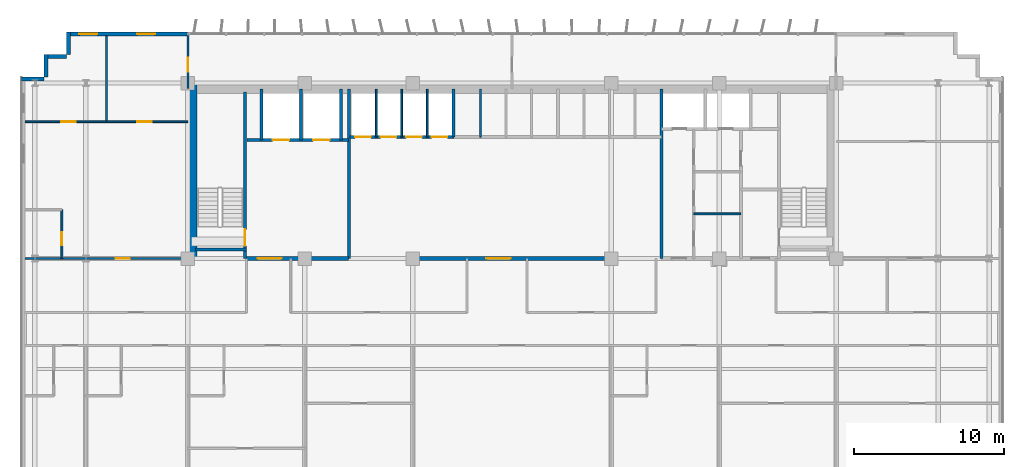
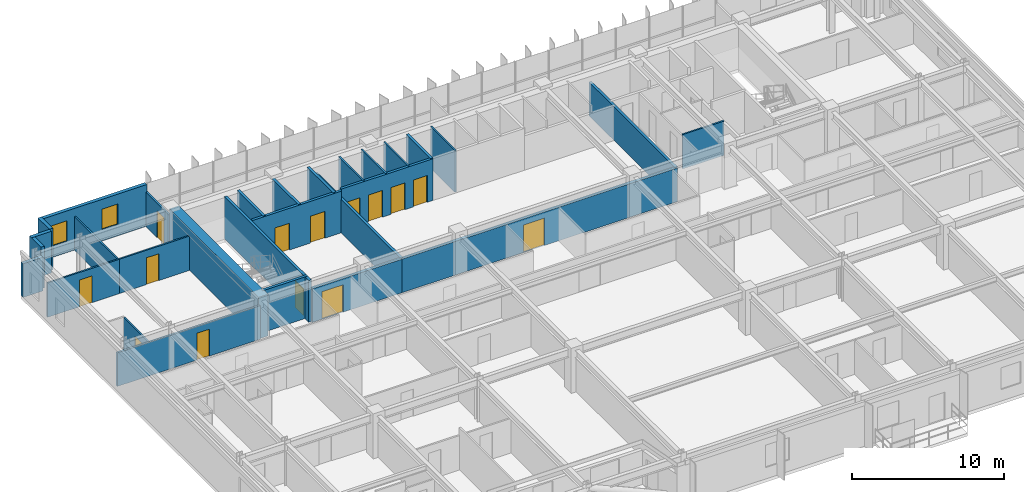
# One storey, part 18 of 23: 29 walls, 14 doors, 2 windows, 16 openings.
"""IFC4 building model written with IfcOpenShell, lengths in metres."""

from ifc_helpers import new_model, si_unit, direction, frame, frame_2d, origin, place, context, subcontext, project, spatial, rectangle, extrude, source, transform, mapped, material, layer, layer_set, type_object, element, fill, save


model = new_model("IFC4")

# Units and contexts
model_context = context("Model", 3, precision=1e-05, world=origin(), true_north=direction((0.0, 1.0)))
body_context = subcontext(model_context, "Body", "Model", "MODEL_VIEW")
ifc_project = project(units=[si_unit("LENGTHUNIT", "METRE"), si_unit("AREAUNIT", "SQUARE_METRE"), si_unit("VOLUMEUNIT", "CUBIC_METRE"), si_unit("PLANEANGLEUNIT", "RADIAN"), si_unit("MASSUNIT", "GRAM", prefix="KILO")], contexts=[model_context])

# Site, building, storey
site_placement = place(None, origin())
site = spatial("IfcSite", under=ifc_project, at=site_placement, CompositionType="ELEMENT")
building_placement = place(site_placement, origin())
building = spatial("IfcBuilding", under=site, at=building_placement, Name="Trelvane Seafront Commons", CompositionType="ELEMENT")
storey_placement = place(building_placement, frame((0.0, 0.0, 63.10009765625)))
storey = spatial("IfcBuildingStorey", under=building, at=storey_placement, Name="L16", CompositionType="ELEMENT", Elevation=63.10009765625)

# Wall, openings, windows
ifc_material_1 = material(Name="Precast concrete C40/50", Category="concrete")
ifc_layer_1 = layer(ifc_material_1, 0.260009765625, Name="ARCH-WALL-EXT260")
ifc_layer_set_1 = layer_set([ifc_layer_1], Name="Precast concrete C40/50")
wall_type_1 = type_object("IfcWallType", Name="ARCH-WALL-EXT260", PredefinedType="SOLIDWALL", material=ifc_layer_set_1)
wall_1_placement = place(storey_placement, frame((7.60009765625, 48.3701171875, 0.0), z_axis=(0.0, 0.0, 1.0), x_axis=(1.0, 0.0, 0.0)))
wall_1 = element("IfcWall", 1, at=wall_1_placement, inside=storey, type_object=wall_type_1, Name="EW-L16-NW-0276", PredefinedType="SOLIDWALL", context=body_context, shape_type="SweptSolid", body=[
    extrude(rectangle(XDim=8.0, YDim=0.260009765625, at=frame_2d((4.0, 0.0))), origin(), (0.0, 0.0, 1.0), 3.33984375),
])
opening_1_placement = place(wall_1_placement, frame((0.76806640625, 0.0, 0.89990234375)))
opening_1 = element("IfcOpeningElement", 2, at=opening_1_placement, cuts=wall_1, Name="Opening W05", PredefinedType="OPENING", context=body_context, shape_type="SweptSolid", body=[
    extrude(rectangle(XDim=1.199951171875, YDim=1.64990234375, at=frame_2d((0.60009765625, 0.824951171875))), frame((0.0, 0.139892578125, 0.0), z_axis=(0.0, -1.0, 0.0), x_axis=(1.0, 0.0, 0.0)), (0.0, 0.0, 1.0), 0.280029296875),
])
opening_2_placement = place(wall_1_placement, frame((4.60791015625, 0.0, 0.89990234375)))
opening_2 = element("IfcOpeningElement", 3, at=opening_2_placement, cuts=wall_1, Name="Opening W05", PredefinedType="OPENING", context=body_context, shape_type="SweptSolid", body=[
    extrude(rectangle(XDim=1.199951171875, YDim=1.64990234375, at=frame_2d((0.60009765625, 0.824951171875))), frame((0.0, 0.139892578125, 0.0), z_axis=(0.0, -1.0, 0.0), x_axis=(1.0, 0.0, 0.0)), (0.0, 0.0, 1.0), 0.280029296875),
])
ifc_material_2 = material(Name="Low-E coastal double glazing", Category="glass")
window_type = type_object("IfcWindowType", Name="ARCH-WIN-W05", PartitioningType="SINGLE_PANEL", PredefinedType="WINDOW", material=ifc_material_2)
shared_shape_1 = source(origin(), body_context, "Body", "SweptSolid", [
    extrude(rectangle(XDim=1.199951171875, YDim=1.64990234375, at=frame_2d((0.60009765625, 0.824951171875))), frame((0.0, 0.030029296875, 0.0), z_axis=(0.0, -1.0, 0.0), x_axis=(1.0, 0.0, 0.0)), (0.0, 0.0, 1.0), 0.06005859375),
])
window_1_placement = place(opening_1_placement, origin())
window_1 = element("IfcWindow", 4, at=window_1_placement, inside=storey, type_object=window_type, Name="WIN-L16-00332", OverallHeight=1.64990234375, OverallWidth=1.199951171875, PartitioningType="SINGLE_PANEL", PredefinedType="WINDOW", context=body_context, shape_type="MappedRepresentation", body=[
    mapped(shared_shape_1, transform((0.0, 0.0, 0.0), x_axis=(1.0, 0.0, 0.0), y_axis=(0.0, 1.0, 0.0), z_axis=(0.0, 0.0, 1.0), scale=1.0)),
])
fill(opening_1, window_1)
window_2_placement = place(opening_2_placement, origin())
window_2 = element("IfcWindow", 5, at=window_2_placement, inside=storey, type_object=window_type, Name="WIN-L16-00333", OverallHeight=1.64990234375, OverallWidth=1.199951171875, PartitioningType="SINGLE_PANEL", PredefinedType="WINDOW", context=body_context, shape_type="MappedRepresentation", body=[
    mapped(shared_shape_1, transform((0.0, 0.0, 0.0), x_axis=(1.0, 0.0, 0.0), y_axis=(0.0, 1.0, 0.0), z_axis=(0.0, 0.0, 1.0), scale=1.0)),
])
fill(opening_2, window_2)

# Walls
wall_2_placement = place(storey_placement, frame((4.5, 45.3701171875, 0.0), z_axis=(0.0, 0.0, 1.0), x_axis=(1.0, 0.0, 0.0)))
element("IfcWall", 6, at=wall_2_placement, inside=storey, type_object=wall_type_1, Name="EW-L16-00282", PredefinedType="SOLIDWALL", context=body_context, shape_type="SweptSolid", body=[
    extrude(rectangle(XDim=1.5, YDim=0.260009765625, at=frame_2d((0.75, 0.0))), origin(), (0.0, 0.0, 1.0), 2.68994140625),
])
for number, where, z_axis, x_axis, name in (
    (7, (6.1298828125, 45.5, 0.0), (0.0, 0.0, 1.0), (0.0, 1.0, 0.0), "EW-L16-00283"),
    (8, (6.0, 46.8701171875, 0.0), (0.0, 0.0, 1.0), (1.0, 0.0, 0.0), "EW-L16-00284"),
    (9, (7.6298828125, 47.0, 0.0), (0.0, 0.0, 1.0), (0.0, 1.0, 0.0), "EW-L16-00285"),
):
    element("IfcWall", number, at=place(storey_placement, frame(where, z_axis=z_axis, x_axis=x_axis)), inside=storey, type_object=wall_type_1, Name=name, PredefinedType="SOLIDWALL", context=body_context, shape_type="SweptSolid", body=[
        extrude(rectangle(XDim=1.5, YDim=0.260009765625, at=frame_2d((0.75, 0.0))), origin(), (0.0, 0.0, 1.0), 3.33984375),
    ])

# Wall, opening, door
ifc_material_3 = material(Name="Concrete C40/50", Category="concrete")
ifc_layer_2 = layer(ifc_material_3, 0.25, Name="ARCH-WALL-FIRE250")
ifc_layer_set_2 = layer_set([ifc_layer_2], Name="Concrete C40/50")
wall_type_2 = type_object("IfcWallType", Name="ARCH-WALL-FIRE250", PredefinedType="PARTITIONING", material=ifc_layer_set_2)
wall_3_placement = place(storey_placement, frame((19.5, 33.39990234375, 0.0), z_axis=(0.0, 0.0, 1.0), x_axis=(1.0, 0.0, 0.0)))
wall_3 = element("IfcWall", 10, at=wall_3_placement, inside=storey, type_object=wall_type_2, Name="W-L16-CS-FFL-013", PredefinedType="PARTITIONING", context=body_context, shape_type="SweptSolid", body=[
    extrude(rectangle(XDim=6.800048828125, YDim=0.25, at=frame_2d((3.39990234375, 0.0))), origin(), (0.0, 0.0, 1.0), 2.68994140625),
])
opening_3_placement = place(wall_3_placement, frame((0.75, 0.0, 0.0)))
opening_3 = element("IfcOpeningElement", 11, at=opening_3_placement, cuts=wall_3, Name="Opening FD-L16-05", PredefinedType="OPENING", context=body_context, shape_type="SweptSolid", body=[
    extrude(rectangle(XDim=1.60009765625, YDim=2.199951171875, at=frame_2d((0.800048828125, 1.10009765625))), frame((0.0, 0.135009765625, 0.0), z_axis=(0.0, -1.0, 0.0), x_axis=(1.0, 0.0, 0.0)), (0.0, 0.0, 1.0), 0.27001953125),
])
ifc_material_4 = material(Name="Powder-coated aluminium frame", Category="aluminium")
door_type_1 = type_object("IfcDoorType", Name="ARCH-DR-FD60-1600", OperationType="DOUBLE_DOOR_SINGLE_SWING", PredefinedType="DOOR", material=ifc_material_4)
shared_shape_2 = source(origin(), body_context, "Body", "SweptSolid", [
    extrude(rectangle(XDim=1.60009765625, YDim=2.199951171875, at=frame_2d((0.800048828125, 1.10009765625))), frame((0.0, 0.02490234375, 0.0), z_axis=(0.0, -1.0, 0.0), x_axis=(1.0, 0.0, 0.0)), (0.0, 0.0, 1.0), 0.050048828125),
])
door_1_placement = place(opening_3_placement, origin())
door_1 = element("IfcDoor", 12, at=door_1_placement, inside=storey, type_object=door_type_1, Name="L16 Firefighting Lift Lobby Double Fire Door", OperationType="DOUBLE_DOOR_SINGLE_SWING", OverallHeight=2.199951171875, OverallWidth=1.60009765625, PredefinedType="DOOR", context=body_context, shape_type="MappedRepresentation", body=[
    mapped(shared_shape_2, transform((0.0, 0.0, 0.0), x_axis=(1.0, 0.0, 0.0), y_axis=(0.0, 1.0, 0.0), z_axis=(0.0, 0.0, 1.0), scale=1.0)),
])
fill(opening_3, door_1)

wall_4_placement = place(storey_placement, frame((26.300048828125, 33.39990234375, 0.0), z_axis=(0.0, 0.0, 1.0), x_axis=(1.0, 0.0, 0.0)))
wall_4 = element("IfcWall", 13, at=wall_4_placement, inside=storey, type_object=wall_type_2, Name="W-L16-CS-PAX-029", PredefinedType="PARTITIONING", context=body_context, shape_type="SweptSolid", body=[
    extrude(rectangle(XDim=20.849853515625, YDim=0.25, at=frame_2d((10.4248046875, 0.0))), origin(), (0.0, 0.0, 1.0), 2.68994140625),
])
opening_4_placement = place(wall_4_placement, frame((9.199951171875, 0.0, 0.0)))
opening_4 = element("IfcOpeningElement", 14, at=opening_4_placement, cuts=wall_4, Name="Opening FD-L16-10", PredefinedType="OPENING", context=body_context, shape_type="SweptSolid", body=[
    extrude(rectangle(XDim=1.60009765625, YDim=2.199951171875, at=frame_2d((0.800048828125, 1.10009765625))), frame((0.0, 0.135009765625, 0.0), z_axis=(0.0, -1.0, 0.0), x_axis=(1.0, 0.0, 0.0)), (0.0, 0.0, 1.0), 0.27001953125),
])
door_2_placement = place(opening_4_placement, origin())
door_2 = element("IfcDoor", 15, at=door_2_placement, inside=storey, type_object=door_type_1, Name="L16 Passenger Lift Lobby Double Door", OperationType="DOUBLE_DOOR_SINGLE_SWING", OverallHeight=2.199951171875, OverallWidth=1.60009765625, PredefinedType="DOOR", context=body_context, shape_type="MappedRepresentation", body=[
    mapped(shared_shape_2, transform((0.0, 0.0, 0.0), x_axis=(1.0, 0.0, 0.0), y_axis=(0.0, 1.0, 0.0), z_axis=(0.0, 0.0, 1.0), scale=1.0)),
])
fill(opening_4, door_2)

# Walls
ifc_material_5 = material(Name="Gypsum Drywall Acoustic Partition")
ifc_layer_3 = layer(ifc_material_5, 0.1201171875, Name="ARCH-WALL-PART120")
ifc_layer_set_3 = layer_set([ifc_layer_3], Name="Gypsum Drywall Acoustic Partition")
wall_type_3 = type_object("IfcWallType", Name="ARCH-WALL-PART120", PredefinedType="PARTITIONING", material=ifc_layer_set_3)
for number, where, z_axis, x_axis, name in (
    (16, (28.14990234375, 41.5, 0.0), (0.0, 0.0, 1.0), (0.0, 1.0, 0.0), "W-L16-PL-DIV1-016"),
    (17, (29.85009765625, 41.5, 0.0), (0.0, 0.0, 1.0), (0.0, 1.0, 0.0), "W-L16-PL-DIV2-017"),
    (18, (31.550048828125, 41.5, 0.0), (0.0, 0.0, 1.0), (0.0, 1.0, 0.0), "W-L16-PL-DIV3-018"),
    (19, (35.10009765625, 41.5, 0.0), (0.0, 0.0, 1.0), (0.0, 1.0, 0.0), "W-L16-PM-DIV1-020"),
):
    element("IfcWall", number, at=place(storey_placement, frame(where, z_axis=z_axis, x_axis=x_axis)), inside=storey, type_object=wall_type_3, Name=name, PredefinedType="PARTITIONING", context=body_context, shape_type="SweptSolid", body=[
        extrude(rectangle(XDim=3.199951171875, YDim=0.1201171875, at=frame_2d((1.60009765625, 0.0))), origin(), (0.0, 0.0, 1.0), 3.33984375),
    ])
wall_5_placement = place(storey_placement, frame((49.320068359375, 36.3798828125, 0.0), z_axis=(0.0, 0.0, 1.0), x_axis=(1.0, 0.0, 0.0)))
element("IfcWall", 20, at=wall_5_placement, inside=storey, type_object=wall_type_3, Name="W-L16-CYC3-H1-036", PredefinedType="PARTITIONING", context=body_context, shape_type="SweptSolid", body=[
    extrude(rectangle(XDim=3.1298828125, YDim=0.1201171875, at=frame_2d((1.56494140625, 0.0))), origin(), (0.0, 0.0, 1.0), 2.751953125),
])

# Wall, opening, door
wall_6_placement = place(storey_placement, frame((7.199951171875, 33.39990234375, 0.0), z_axis=(0.0, 0.0, 1.0), x_axis=(0.0, 1.0, 0.0)))
wall_6 = element("IfcWall", 21, at=wall_6_placement, inside=storey, type_object=wall_type_3, Name="W-L16-NW-BE-050", PredefinedType="PARTITIONING", context=body_context, shape_type="SweptSolid", body=[
    extrude(rectangle(XDim=3.25, YDim=0.1201171875, at=frame_2d((1.625, 0.0))), origin(), (0.0, 0.0, 1.0), 2.68994140625),
])
opening_5_placement = place(wall_6_placement, frame((0.89990234375, 0.0, 0.0)))
opening_5 = element("IfcOpeningElement", 22, at=opening_5_placement, cuts=wall_6, Name="Opening D-L16-24", PredefinedType="OPENING", context=body_context, shape_type="SweptSolid", body=[
    extrude(rectangle(XDim=0.85009765625, YDim=2.10009765625, at=frame_2d((0.425048828125, 1.050048828125))), frame((0.0, 0.070068359375, 0.0), z_axis=(0.0, -1.0, 0.0), x_axis=(1.0, 0.0, 0.0)), (0.0, 0.0, 1.0), 0.14013671875),
])
ifc_material_6 = material(Name="Acoustic timber door leaf", Category="wood")
door_type_2 = type_object("IfcDoorType", Name="ARCH-DR-INT850", OperationType="NOTDEFINED", PredefinedType="DOOR", material=ifc_material_6)
shared_shape_3 = source(origin(), body_context, "Body", "SweptSolid", [
    extrude(rectangle(XDim=0.85009765625, YDim=2.10009765625, at=frame_2d((0.425048828125, 1.050048828125))), frame((0.0, 0.02490234375, 0.0), z_axis=(0.0, -1.0, 0.0), x_axis=(1.0, 0.0, 0.0)), (0.0, 0.0, 1.0), 0.050048828125),
])
door_3_placement = place(opening_5_placement, origin())
door_3 = element("IfcDoor", 23, at=door_3_placement, inside=storey, type_object=door_type_2, Name="L16 Door 24", OperationType="SINGLE_SWING_RIGHT", OverallHeight=2.10009765625, OverallWidth=0.85009765625, PredefinedType="DOOR", context=body_context, shape_type="MappedRepresentation", body=[
    mapped(shared_shape_3, transform((0.0, 0.0, 0.0), x_axis=(1.0, 0.0, 0.0), y_axis=(0.0, 1.0, 0.0), z_axis=(0.0, 0.0, 1.0), scale=1.0)),
])
fill(opening_5, door_3)

wall_7_placement = place(storey_placement, frame((4.75, 42.52001953125, 0.0), z_axis=(0.0, 0.0, 1.0), x_axis=(1.0, 0.0, 0.0)))
wall_7 = element("IfcWall", 24, at=wall_7_placement, inside=storey, type_object=wall_type_3, Name="W-L16-NW-KB1-052", PredefinedType="PARTITIONING", context=body_context, shape_type="SweptSolid", body=[
    extrude(rectangle(XDim=5.425048828125, YDim=0.1201171875, at=frame_2d((2.71240234375, 0.0))), origin(), (0.0, 0.0, 1.0), 2.751953125),
])
opening_6_placement = place(wall_7_placement, frame((2.423095703125, 0.0, 0.0)))
opening_6 = element("IfcOpeningElement", 25, at=opening_6_placement, cuts=wall_7, Name="Opening D-L16-25", PredefinedType="OPENING", context=body_context, shape_type="SweptSolid", body=[
    extrude(rectangle(XDim=0.949951171875, YDim=2.14990234375, at=frame_2d((0.47509765625, 1.074951171875))), frame((0.0, 0.070068359375, 0.0), z_axis=(0.0, -1.0, 0.0), x_axis=(1.0, 0.0, 0.0)), (0.0, 0.0, 1.0), 0.14013671875),
])
door_type_3 = type_object("IfcDoorType", Name="ARCH-DR-INT950", OperationType="NOTDEFINED", PredefinedType="DOOR", material=ifc_material_6)
shared_shape_4 = source(origin(), body_context, "Body", "SweptSolid", [
    extrude(rectangle(XDim=0.949951171875, YDim=2.14990234375, at=frame_2d((0.47509765625, 1.074951171875))), frame((0.0, 0.02490234375, 0.0), z_axis=(0.0, -1.0, 0.0), x_axis=(1.0, 0.0, 0.0)), (0.0, 0.0, 1.0), 0.050048828125),
])
door_4_placement = place(opening_6_placement, origin())
door_4 = element("IfcDoor", 26, at=door_4_placement, inside=storey, type_object=door_type_3, Name="L16 Door 25", OperationType="SINGLE_SWING_LEFT", OverallHeight=2.14990234375, OverallWidth=0.949951171875, PredefinedType="DOOR", context=body_context, shape_type="MappedRepresentation", body=[
    mapped(shared_shape_4, transform((0.0, 0.0, 0.0), x_axis=(1.0, 0.0, 0.0), y_axis=(0.0, 1.0, 0.0), z_axis=(0.0, 0.0, 1.0), scale=1.0)),
])
fill(opening_6, door_4)

wall_8_placement = place(storey_placement, frame((10.175048828125, 42.52001953125, 0.0), z_axis=(0.0, 0.0, 1.0), x_axis=(1.0, 0.0, 0.0)))
wall_8 = element("IfcWall", 27, at=wall_8_placement, inside=storey, type_object=wall_type_3, Name="W-L16-NW-KB2-053", PredefinedType="PARTITIONING", context=body_context, shape_type="SweptSolid", body=[
    extrude(rectangle(XDim=5.425048828125, YDim=0.1201171875, at=frame_2d((2.71240234375, 0.0))), origin(), (0.0, 0.0, 1.0), 2.751953125),
])
opening_7_placement = place(wall_8_placement, frame((2.052001953125, 0.0, 0.0)))
opening_7 = element("IfcOpeningElement", 28, at=opening_7_placement, cuts=wall_8, Name="Opening D-L16-26", PredefinedType="OPENING", context=body_context, shape_type="SweptSolid", body=[
    extrude(rectangle(XDim=0.949951171875, YDim=2.14990234375, at=frame_2d((0.47509765625, 1.074951171875))), frame((0.0, 0.070068359375, 0.0), z_axis=(0.0, -1.0, 0.0), x_axis=(1.0, 0.0, 0.0)), (0.0, 0.0, 1.0), 0.14013671875),
])
door_5_placement = place(opening_7_placement, origin())
door_5 = element("IfcDoor", 29, at=door_5_placement, inside=storey, type_object=door_type_3, Name="L16 Door 26", OperationType="SINGLE_SWING_RIGHT", OverallHeight=2.14990234375, OverallWidth=0.949951171875, PredefinedType="DOOR", context=body_context, shape_type="MappedRepresentation", body=[
    mapped(shared_shape_4, transform((0.0, 0.0, 0.0), x_axis=(1.0, 0.0, 0.0), y_axis=(0.0, 1.0, 0.0), z_axis=(0.0, 0.0, 1.0), scale=1.0)),
])
fill(opening_7, door_5)

# Wall
wall_9_placement = place(storey_placement, frame((10.175048828125, 42.52001953125, 0.0), z_axis=(0.0, 0.0, 1.0), x_axis=(0.0, 1.0, 0.0)))
element("IfcWall", 30, at=wall_9_placement, inside=storey, type_object=wall_type_3, Name="W-L16-NW-KBDV-054", PredefinedType="PARTITIONING", context=body_context, shape_type="SweptSolid", body=[
    extrude(rectangle(XDim=5.719970703125, YDim=0.1201171875, at=frame_2d((2.85986328125, 0.0))), origin(), (0.0, 0.0, 1.0), 2.68994140625),
])

# Wall, opening, door
ifc_layer_4 = layer(ifc_material_5, 0.14990234375, Name="ARCH-WALL-PART150")
ifc_layer_set_4 = layer_set([ifc_layer_4], Name="Gypsum Drywall Acoustic Partition")
wall_type_4 = type_object("IfcWallType", Name="ARCH-WALL-PART150", PredefinedType="PARTITIONING", material=ifc_layer_set_4)
wall_10_placement = place(storey_placement, frame((4.75, 33.39990234375, 0.0), z_axis=(0.0, 0.0, 1.0), x_axis=(1.0, 0.0, 0.0)))
wall_10 = element("IfcWall", 31, at=wall_10_placement, inside=storey, type_object=wall_type_4, Name="W-L16-NW-ENT-055", PredefinedType="PARTITIONING", context=body_context, shape_type="SweptSolid", body=[
    extrude(rectangle(XDim=10.85009765625, YDim=0.14990234375, at=frame_2d((5.425048828125, 0.0))), origin(), (0.0, 0.0, 1.0), 2.68994140625),
])
opening_8_placement = place(wall_10_placement, frame((6.02490234375, 0.0, 0.0)))
opening_8 = element("IfcOpeningElement", 32, at=opening_8_placement, cuts=wall_10, Name="Opening FD-L16-27", PredefinedType="OPENING", context=body_context, shape_type="SweptSolid", body=[
    extrude(rectangle(XDim=0.949951171875, YDim=2.14990234375, at=frame_2d((0.47509765625, 1.074951171875))), frame((0.0, 0.0849609375, 0.0), z_axis=(0.0, -1.0, 0.0), x_axis=(1.0, 0.0, 0.0)), (0.0, 0.0, 1.0), 0.169921875),
])
door_type_4 = type_object("IfcDoorType", Name="ARCH-DR-FD60-950", OperationType="NOTDEFINED", PredefinedType="DOOR", material=ifc_material_4)
door_6_placement = place(opening_8_placement, origin())
door_6 = element("IfcDoor", 33, at=door_6_placement, inside=storey, type_object=door_type_4, Name="L16 NW Flat Entrance Door", OperationType="SINGLE_SWING_LEFT", OverallHeight=2.14990234375, OverallWidth=0.949951171875, PredefinedType="DOOR", context=body_context, shape_type="MappedRepresentation", body=[
    mapped(shared_shape_4, transform((0.0, 0.0, 0.0), x_axis=(1.0, 0.0, 0.0), y_axis=(0.0, 1.0, 0.0), z_axis=(0.0, 0.0, 1.0), scale=1.0)),
])
fill(opening_8, door_6)

wall_11_placement = place(storey_placement, frame((15.60009765625, 44.75, 0.0), z_axis=(0.0, 0.0, 1.0), x_axis=(0.0, 1.0, 0.0)))
wall_11 = element("IfcWall", 34, at=wall_11_placement, inside=storey, type_object=wall_type_4, Name="W-L16-N-LINK-W-059", PredefinedType="PARTITIONING", context=body_context, shape_type="SweptSolid", body=[
    extrude(rectangle(XDim=3.610107421875, YDim=0.14990234375, at=frame_2d((1.80517578125, 0.0))), origin(), (0.0, 0.0, 1.0), 2.751953125),
])
opening_9_placement = place(wall_11_placement, frame((1.10009765625, 0.0, 0.0)))
opening_9 = element("IfcOpeningElement", 35, at=opening_9_placement, cuts=wall_11, Name="Opening FD-L16-31", PredefinedType="OPENING", context=body_context, shape_type="SweptSolid", body=[
    extrude(rectangle(XDim=0.949951171875, YDim=2.14990234375, at=frame_2d((0.47509765625, 1.074951171875))), frame((0.0, 0.0849609375, 0.0), z_axis=(0.0, -1.0, 0.0), x_axis=(1.0, 0.0, 0.0)), (0.0, 0.0, 1.0), 0.169921875),
])
door_7_placement = place(opening_9_placement, origin())
door_7 = element("IfcDoor", 36, at=door_7_placement, inside=storey, type_object=door_type_4, Name="L16 Door 31", OperationType="SINGLE_SWING_LEFT", OverallHeight=2.14990234375, OverallWidth=0.949951171875, PredefinedType="DOOR", context=body_context, shape_type="MappedRepresentation", body=[
    mapped(shared_shape_4, transform((0.0, 0.0, 0.0), x_axis=(1.0, 0.0, 0.0), y_axis=(0.0, 1.0, 0.0), z_axis=(0.0, 0.0, 1.0), scale=1.0)),
])
fill(opening_9, door_7)

# Wall, openings, doors
ifc_layer_5 = layer(ifc_material_3, 0.199951171875, Name="ARCH-WALL-SHAFT200")
ifc_layer_set_5 = layer_set([ifc_layer_5], Name="Concrete C40/50")
wall_type_5 = type_object("IfcWallType", Name="ARCH-WALL-SHAFT200", PredefinedType="SOLIDWALL", material=ifc_layer_set_5)
wall_12_placement = place(storey_placement, frame((19.550048828125, 41.300048828125, 0.0), z_axis=(0.0, 0.0, 1.0), x_axis=(1.0, 0.0, 0.0)))
wall_12 = element("IfcWall", 37, at=wall_12_placement, inside=storey, type_object=wall_type_5, Name="W-L16-FFL-FRONT-008", PredefinedType="SOLIDWALL", context=body_context, shape_type="SweptSolid", body=[
    extrude(rectangle(XDim=6.75, YDim=0.199951171875, at=frame_2d((3.375, 0.0))), origin(), (0.0, 0.0, 1.0), 3.33984375),
])
opening_10_placement = place(wall_12_placement, frame((1.699951171875, 0.0, 0.0)))
opening_10 = element("IfcOpeningElement", 38, at=opening_10_placement, cuts=wall_12, Name="Opening LD-FF1-L16", PredefinedType="OPENING", context=body_context, shape_type="SweptSolid", body=[
    extrude(rectangle(XDim=1.10009765625, YDim=2.14990234375, at=frame_2d((0.550048828125, 1.074951171875))), frame((0.0, 0.10986328125, 0.0), z_axis=(0.0, -1.0, 0.0), x_axis=(1.0, 0.0, 0.0)), (0.0, 0.0, 1.0), 0.219970703125),
])
opening_11_placement = place(wall_12_placement, frame((4.39990234375, 0.0, 0.0)))
opening_11 = element("IfcOpeningElement", 39, at=opening_11_placement, cuts=wall_12, Name="Opening LD-FF2-L16", PredefinedType="OPENING", context=body_context, shape_type="SweptSolid", body=[
    extrude(rectangle(XDim=1.10009765625, YDim=2.14990234375, at=frame_2d((0.550048828125, 1.074951171875))), frame((0.0, 0.10986328125, 0.0), z_axis=(0.0, -1.0, 0.0), x_axis=(1.0, 0.0, 0.0)), (0.0, 0.0, 1.0), 0.219970703125),
])
ifc_material_7 = material(Name="Stainless steel balustrade", Category="steel")
door_type_5 = type_object("IfcDoorType", Name="ARCH-DR-LD1100", OperationType="DOUBLE_DOOR_SLIDING", PredefinedType="DOOR", material=ifc_material_7)
shared_shape_5 = source(origin(), body_context, "Body", "SweptSolid", [
    extrude(rectangle(XDim=1.10009765625, YDim=2.14990234375, at=frame_2d((0.550048828125, 1.074951171875))), frame((0.0, 0.02490234375, 0.0), z_axis=(0.0, -1.0, 0.0), x_axis=(1.0, 0.0, 0.0)), (0.0, 0.0, 1.0), 0.050048828125),
])
door_8_placement = place(opening_10_placement, origin())
door_8 = element("IfcDoor", 40, at=door_8_placement, inside=storey, type_object=door_type_5, Name="L16 Firefighting Lift FFL-1 Landing Door", OperationType="DOUBLE_DOOR_SLIDING", OverallHeight=2.14990234375, OverallWidth=1.10009765625, PredefinedType="DOOR", context=body_context, shape_type="MappedRepresentation", body=[
    mapped(shared_shape_5, transform((0.0, 0.0, 0.0), x_axis=(1.0, 0.0, 0.0), y_axis=(0.0, 1.0, 0.0), z_axis=(0.0, 0.0, 1.0), scale=1.0)),
])
fill(opening_10, door_8)
door_9_placement = place(opening_11_placement, origin())
door_9 = element("IfcDoor", 41, at=door_9_placement, inside=storey, type_object=door_type_5, Name="L16 Firefighting Lift FFL-2 Landing Door", OperationType="DOUBLE_DOOR_SLIDING", OverallHeight=2.14990234375, OverallWidth=1.10009765625, PredefinedType="DOOR", context=body_context, shape_type="MappedRepresentation", body=[
    mapped(shared_shape_5, transform((0.0, 0.0, 0.0), x_axis=(1.0, 0.0, 0.0), y_axis=(0.0, 1.0, 0.0), z_axis=(0.0, 0.0, 1.0), scale=1.0)),
])
fill(opening_11, door_9)

# Walls
for number, where, z_axis, x_axis, name in (
    (42, (20.5, 41.300048828125, 0.0), (0.0, 0.0, 1.0), (0.0, 1.0, 0.0), "W-L16-FFL-SH-W-009"),
    (43, (23.14990234375, 41.300048828125, 0.0), (0.0, 0.0, 1.0), (0.0, 1.0, 0.0), "W-L16-FFL-DIV-010"),
    (44, (25.800048828125, 41.300048828125, 0.0), (0.0, 0.0, 1.0), (0.0, 1.0, 0.0), "W-L16-FFL-SH-E-011"),
):
    element("IfcWall", number, at=place(storey_placement, frame(where, z_axis=z_axis, x_axis=x_axis)), inside=storey, type_object=wall_type_5, Name=name, PredefinedType="SOLIDWALL", context=body_context, shape_type="SweptSolid", body=[
        extrude(rectangle(XDim=3.39990234375, YDim=0.199951171875, at=frame_2d((1.699951171875, 0.0))), origin(), (0.0, 0.0, 1.0), 3.33984375),
    ])
wall_13_placement = place(storey_placement, frame((26.35009765625, 33.39990234375, 0.0), z_axis=(0.0, 0.0, 1.0), x_axis=(0.0, 1.0, 0.0)))
element("IfcWall", 45, at=wall_13_placement, inside=storey, type_object=wall_type_5, Name="W-L16-FFL-EAST-012", PredefinedType="SOLIDWALL", context=body_context, shape_type="SweptSolid", body=[
    extrude(rectangle(XDim=11.300048828125, YDim=0.199951171875, at=frame_2d((5.64990234375, 0.0))), origin(), (0.0, 0.0, 1.0), 2.68994140625),
])

# Wall, openings, doors
wall_14_placement = place(storey_placement, frame((26.39990234375, 41.5, 0.0), z_axis=(0.0, 0.0, 1.0), x_axis=(1.0, 0.0, 0.0)))
wall_14 = element("IfcWall", 46, at=wall_14_placement, inside=storey, type_object=wall_type_5, Name="W-L16-PL-FRONT-014", PredefinedType="SOLIDWALL", context=body_context, shape_type="SweptSolid", body=[
    extrude(rectangle(XDim=6.9501953125, YDim=0.199951171875, at=frame_2d((3.47509765625, 0.0))), origin(), (0.0, 0.0, 1.0), 3.33984375),
])
opening_12_placement = place(wall_14_placement, frame((0.35009765625, 0.0, 0.0)))
opening_12 = element("IfcOpeningElement", 47, at=opening_12_placement, cuts=wall_14, Name="Opening LD-PL1-L16", PredefinedType="OPENING", context=body_context, shape_type="SweptSolid", body=[
    extrude(rectangle(XDim=1.050048828125, YDim=2.14990234375, at=frame_2d((0.52490234375, 1.074951171875))), frame((0.0, 0.10986328125, 0.0), z_axis=(0.0, -1.0, 0.0), x_axis=(1.0, 0.0, 0.0)), (0.0, 0.0, 1.0), 0.219970703125),
])
opening_13_placement = place(wall_14_placement, frame((2.050048828125, 0.0, 0.0)))
opening_13 = element("IfcOpeningElement", 48, at=opening_13_placement, cuts=wall_14, Name="Opening LD-PL2-L16", PredefinedType="OPENING", context=body_context, shape_type="SweptSolid", body=[
    extrude(rectangle(XDim=1.050048828125, YDim=2.14990234375, at=frame_2d((0.52490234375, 1.074951171875))), frame((0.0, 0.10986328125, 0.0), z_axis=(0.0, -1.0, 0.0), x_axis=(1.0, 0.0, 0.0)), (0.0, 0.0, 1.0), 0.219970703125),
])
opening_14_placement = place(wall_14_placement, frame((3.75, 0.0, 0.0)))
opening_14 = element("IfcOpeningElement", 49, at=opening_14_placement, cuts=wall_14, Name="Opening LD-PL3-L16", PredefinedType="OPENING", context=body_context, shape_type="SweptSolid", body=[
    extrude(rectangle(XDim=1.050048828125, YDim=2.14990234375, at=frame_2d((0.52490234375, 1.074951171875))), frame((0.0, 0.10986328125, 0.0), z_axis=(0.0, -1.0, 0.0), x_axis=(1.0, 0.0, 0.0)), (0.0, 0.0, 1.0), 0.219970703125),
])
opening_15_placement = place(wall_14_placement, frame((5.449951171875, 0.0, 0.0)))
opening_15 = element("IfcOpeningElement", 50, at=opening_15_placement, cuts=wall_14, Name="Opening LD-PL4-L16", PredefinedType="OPENING", context=body_context, shape_type="SweptSolid", body=[
    extrude(rectangle(XDim=1.050048828125, YDim=2.14990234375, at=frame_2d((0.52490234375, 1.074951171875))), frame((0.0, 0.10986328125, 0.0), z_axis=(0.0, -1.0, 0.0), x_axis=(1.0, 0.0, 0.0)), (0.0, 0.0, 1.0), 0.219970703125),
])
door_type_6 = type_object("IfcDoorType", Name="ARCH-DR-LD1050", OperationType="DOUBLE_DOOR_SLIDING", PredefinedType="DOOR", material=ifc_material_7)
shared_shape_6 = source(origin(), body_context, "Body", "SweptSolid", [
    extrude(rectangle(XDim=1.050048828125, YDim=2.14990234375, at=frame_2d((0.52490234375, 1.074951171875))), frame((0.0, 0.02490234375, 0.0), z_axis=(0.0, -1.0, 0.0), x_axis=(1.0, 0.0, 0.0)), (0.0, 0.0, 1.0), 0.050048828125),
])
door_10_placement = place(opening_12_placement, origin())
door_10 = element("IfcDoor", 51, at=door_10_placement, inside=storey, type_object=door_type_6, Name="L16 Passenger Lift PL-1 Landing Door", OperationType="DOUBLE_DOOR_SLIDING", OverallHeight=2.14990234375, OverallWidth=1.050048828125, PredefinedType="DOOR", context=body_context, shape_type="MappedRepresentation", body=[
    mapped(shared_shape_6, transform((0.0, 0.0, 0.0), x_axis=(1.0, 0.0, 0.0), y_axis=(0.0, 1.0, 0.0), z_axis=(0.0, 0.0, 1.0), scale=1.0)),
])
fill(opening_12, door_10)
door_11_placement = place(opening_13_placement, origin())
door_11 = element("IfcDoor", 52, at=door_11_placement, inside=storey, type_object=door_type_6, Name="L16 Passenger Lift PL-2 Landing Door", OperationType="DOUBLE_DOOR_SLIDING", OverallHeight=2.14990234375, OverallWidth=1.050048828125, PredefinedType="DOOR", context=body_context, shape_type="MappedRepresentation", body=[
    mapped(shared_shape_6, transform((0.0, 0.0, 0.0), x_axis=(1.0, 0.0, 0.0), y_axis=(0.0, 1.0, 0.0), z_axis=(0.0, 0.0, 1.0), scale=1.0)),
])
fill(opening_13, door_11)
door_12_placement = place(opening_14_placement, origin())
door_12 = element("IfcDoor", 53, at=door_12_placement, inside=storey, type_object=door_type_6, Name="L16 Passenger Lift PL-3 Landing Door", OperationType="DOUBLE_DOOR_SLIDING", OverallHeight=2.14990234375, OverallWidth=1.050048828125, PredefinedType="DOOR", context=body_context, shape_type="MappedRepresentation", body=[
    mapped(shared_shape_6, transform((0.0, 0.0, 0.0), x_axis=(1.0, 0.0, 0.0), y_axis=(0.0, 1.0, 0.0), z_axis=(0.0, 0.0, 1.0), scale=1.0)),
])
fill(opening_14, door_12)
door_13_placement = place(opening_15_placement, origin())
door_13 = element("IfcDoor", 54, at=door_13_placement, inside=storey, type_object=door_type_6, Name="L16 Passenger Lift PL-4 Landing Door", OperationType="DOUBLE_DOOR_SLIDING", OverallHeight=2.14990234375, OverallWidth=1.050048828125, PredefinedType="DOOR", context=body_context, shape_type="MappedRepresentation", body=[
    mapped(shared_shape_6, transform((0.0, 0.0, 0.0), x_axis=(1.0, 0.0, 0.0), y_axis=(0.0, 1.0, 0.0), z_axis=(0.0, 0.0, 1.0), scale=1.0)),
])
fill(opening_15, door_13)

# Walls
wall_15_placement = place(storey_placement, frame((33.300048828125, 41.5, 0.0), z_axis=(0.0, 0.0, 1.0), x_axis=(0.0, 1.0, 0.0)))
element("IfcWall", 55, at=wall_15_placement, inside=storey, type_object=wall_type_5, Name="W-L16-PL-EAST-SH-015", PredefinedType="SOLIDWALL", context=body_context, shape_type="SweptSolid", body=[
    extrude(rectangle(XDim=3.199951171875, YDim=0.199951171875, at=frame_2d((1.60009765625, 0.0))), origin(), (0.0, 0.0, 1.0), 3.33984375),
])
wall_16_placement = place(storey_placement, frame((47.14990234375, 33.39990234375, 0.0), z_axis=(0.0, 0.0, 1.0), x_axis=(0.0, 1.0, 0.0)))
element("IfcWall", 56, at=wall_16_placement, inside=storey, type_object=wall_type_5, Name="W-L16-PH-EAST-028", PredefinedType="SOLIDWALL", context=body_context, shape_type="SweptSolid", body=[
    extrude(rectangle(XDim=11.300048828125, YDim=0.199951171875, at=frame_2d((5.64990234375, 0.0))), origin(), (0.0, 0.0, 1.0), 2.68994140625),
])
ifc_material_8 = material(Name="Concrete C60/75", Category="concrete")
ifc_layer_6 = layer(ifc_material_8, 0.699951171875, Name="STR-WALL-CORE700")
ifc_layer_set_6 = layer_set([ifc_layer_6], Name="Concrete C60/75")
wall_type_6 = type_object("IfcWallType", Name="STR-WALL-CORE700", PredefinedType="SHEAR", material=ifc_layer_set_6)
wall_17_placement = place(storey_placement, frame((15.85009765625, 33.39990234375, 0.0), z_axis=(0.0, 0.0, 1.0), x_axis=(0.0, 1.0, 0.0)))
element("IfcWall", 57, at=wall_17_placement, inside=storey, type_object=wall_type_6, Name="W-L16-CW-END-002", PredefinedType="SHEAR", context=body_context, shape_type="SweptSolid", body=[
    extrude(rectangle(XDim=11.7001953125, YDim=0.699951171875, at=frame_2d((5.85009765625, 0.0))), origin(), (0.0, 0.0, 1.0), 3.33984375),
])
ifc_material_9 = material(Name="Concrete C50/60", Category="concrete")
ifc_layer_7 = layer(ifc_material_9, 0.199951171875, Name="STR-WALL-STAIR200")
ifc_layer_set_7 = layer_set([ifc_layer_7], Name="Concrete C50/60")
wall_type_7 = type_object("IfcWallType", Name="STR-WALL-STAIR200", PredefinedType="SHEAR", material=ifc_layer_set_7)
wall_18_placement = place(storey_placement, frame((16.10009765625, 34.0, 0.0), z_axis=(0.0, 0.0, 1.0), x_axis=(1.0, 0.0, 0.0)))
element("IfcWall", 58, at=wall_18_placement, inside=storey, type_object=wall_type_7, Name="W-L16-ST1-S-004", PredefinedType="SHEAR", context=body_context, shape_type="SweptSolid", body=[
    extrude(rectangle(XDim=3.39990234375, YDim=0.199951171875, at=frame_2d((1.699951171875, 0.0))), origin(), (0.0, 0.0, 1.0), 3.33984375),
])

# Wall, opening, door
wall_19_placement = place(storey_placement, frame((19.39990234375, 33.39990234375, 0.0), z_axis=(0.0, 0.0, 1.0), x_axis=(0.0, 1.0, 0.0)))
wall_19 = element("IfcWall", 59, at=wall_19_placement, inside=storey, type_object=wall_type_7, Name="W-L16-ST1-E-005", PredefinedType="SHEAR", context=body_context, shape_type="SweptSolid", body=[
    extrude(rectangle(XDim=11.10009765625, YDim=0.199951171875, at=frame_2d((5.550048828125, 0.0))), origin(), (0.0, 0.0, 1.0), 3.33984375),
])
opening_16_placement = place(wall_19_placement, frame((0.85009765625, 0.0, 0.0)))
opening_16 = element("IfcOpeningElement", 60, at=opening_16_placement, cuts=wall_19, Name="Opening ST-D1-L16", PredefinedType="OPENING", context=body_context, shape_type="SweptSolid", body=[
    extrude(rectangle(XDim=1.10009765625, YDim=2.14990234375, at=frame_2d((0.550048828125, 1.074951171875))), frame((0.0, 0.10986328125, 0.0), z_axis=(0.0, -1.0, 0.0), x_axis=(1.0, 0.0, 0.0)), (0.0, 0.0, 1.0), 0.219970703125),
])
door_type_7 = type_object("IfcDoorType", Name="ARCH-DR-FD90-1100", OperationType="NOTDEFINED", PredefinedType="DOOR", material=ifc_material_4)
door_14_placement = place(opening_16_placement, origin())
door_14 = element("IfcDoor", 61, at=door_14_placement, inside=storey, type_object=door_type_7, Name="L16 Stair ST-1 Lobby Fire Door", OperationType="SINGLE_SWING_LEFT", OverallHeight=2.14990234375, OverallWidth=1.10009765625, PredefinedType="DOOR", context=body_context, shape_type="MappedRepresentation", body=[
    mapped(shared_shape_5, transform((0.0, 0.0, 0.0), x_axis=(1.0, 0.0, 0.0), y_axis=(0.0, 1.0, 0.0), z_axis=(0.0, 0.0, 1.0), scale=1.0)),
])
fill(opening_16, door_14)

save(model, "model.ifc")
